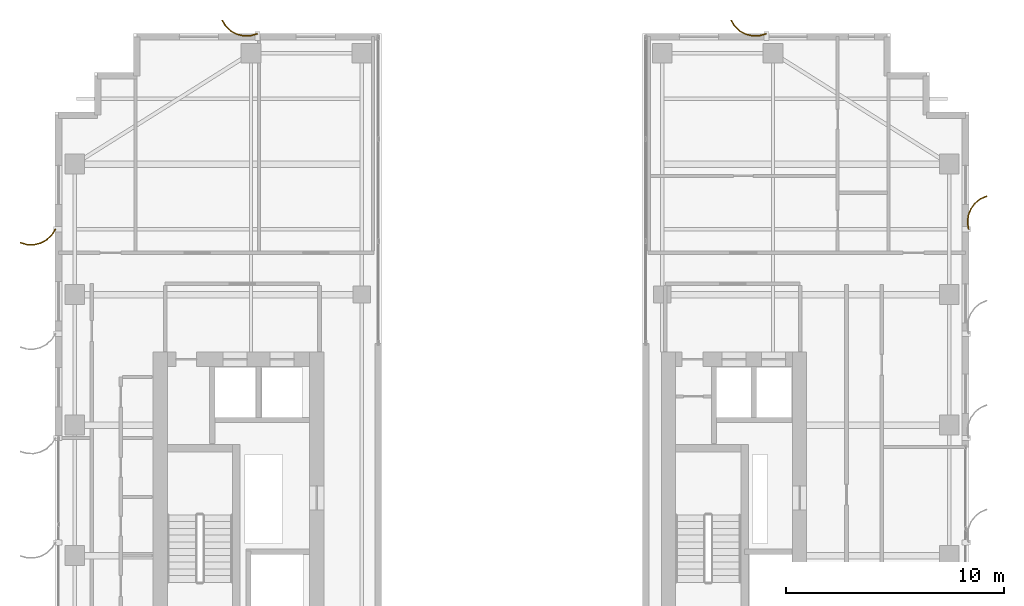
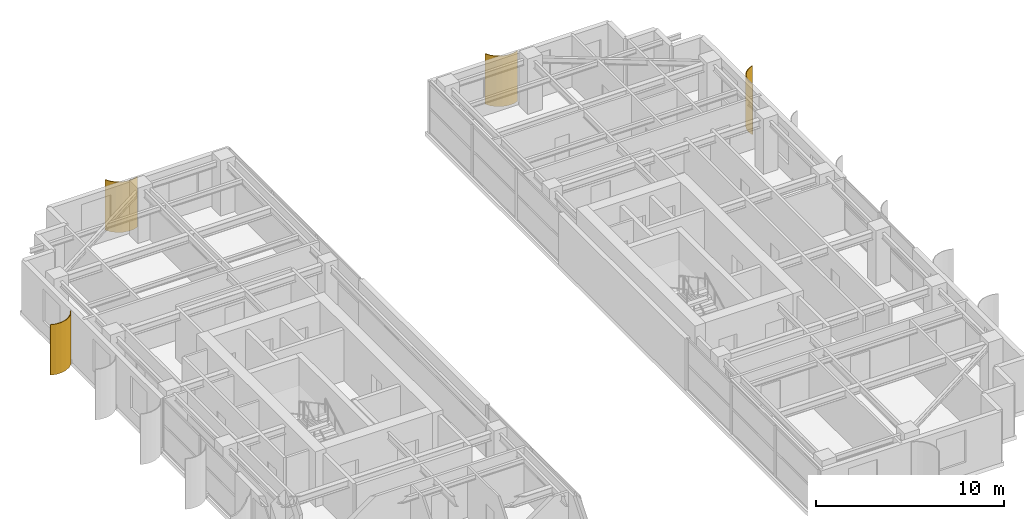
# One storey, part 22 of 22: 4 shading devices.
"""IFC4 building model written with IfcOpenShell, lengths in metres."""

from ifc_helpers import new_model, si_unit, direction, frame, origin, place, context, subcontext, project, spatial, polyline, outline, extrude, source, transform, mapped, material, layer, layer_set, type_object, element, save


model = new_model("IFC4")

# Units and contexts
model_context = context("Model", 3, precision=1e-05, world=origin(), true_north=direction((0.0, 1.0)))
body_context = subcontext(model_context, "Body", "Model", "MODEL_VIEW")
ifc_project = project(units=[si_unit("LENGTHUNIT", "METRE"), si_unit("AREAUNIT", "SQUARE_METRE"), si_unit("VOLUMEUNIT", "CUBIC_METRE"), si_unit("PLANEANGLEUNIT", "RADIAN"), si_unit("MASSUNIT", "GRAM", prefix="KILO")], contexts=[model_context])

# Site, building, storey
site_placement = place(None, origin())
site = spatial("IfcSite", under=ifc_project, at=site_placement, CompositionType="ELEMENT")
building_placement = place(site_placement, origin())
building = spatial("IfcBuilding", under=site, at=building_placement, Name="Khoralis Quay Care Tower", CompositionType="ELEMENT")
storey_placement = place(building_placement, frame((0.0, 0.0, 209.699951171875)))
storey = spatial("IfcBuildingStorey", under=building, at=storey_placement, Name="L55", CompositionType="ELEMENT", Elevation=209.699951171875)

# Shading devices
ifc_material = material(Name="Brushed pale anodised aluminium", Category="aluminium")
ifc_layer = layer(ifc_material, 0.044921875)
ifc_layer_set = layer_set([ifc_layer], Name="Brushed pale anodised aluminium")
shading_device_type = type_object("IfcShadingDeviceType", Name="SHD-FIN-1250", PredefinedType="USERDEFINED", material=ifc_layer_set)
shared_shape_1 = source(origin(), body_context, "Body", "SweptSolid", [
    extrude(outline(polyline([(0.0, 0.0), (0.17041015625, 0.2783203125), (0.4072265625, 0.5029296875), (0.694091796875, 0.658447265625), (1.01123046875, 0.734619140625), (1.33740234375, 0.72607421875), (1.650390625, 0.633544921875), (1.632080078125, 0.59228515625), (1.330322265625, 0.681640625), (1.015869140625, 0.68994140625), (0.710205078125, 0.616455078125), (0.43359375, 0.466552734375), (0.20556640625, 0.25), (0.041015625, -0.018310546875), (0.0, 0.0)])), origin(), (0.0, 0.0, 1.0), 3.280029296875),
])
shading_device_1_placement = place(storey_placement, frame((3.030029296875, 33.0, 0.02001953125), z_axis=(0.0, 0.0, 1.0), x_axis=(-1.0, 0.0, 0.0)))
element("IfcShadingDevice", 1, at=shading_device_1_placement, inside=storey, type_object=shading_device_type, Name="L55 Curved Solar Fin P1E7-01", ObjectType="FIN", PredefinedType="USERDEFINED", context=body_context, shape_type="MappedRepresentation", body=[
    mapped(shared_shape_1, transform((0.0, 0.0, 0.0), scale=1.0)),
])
shared_shape_2 = source(origin(), body_context, "Body", "SweptSolid", [
    extrude(outline(polyline([(0.0, 0.0), (-0.04833984375, 0.32275390625), (-0.01123046875, 0.64697265625), (0.1083984375, 0.950439453125), (0.302490234375, 1.212890625), (0.557861328125, 1.416015625), (0.85693359375, 1.546142578125), (0.869384765625, 1.5029296875), (0.5810546875, 1.37744140625), (0.334716796875, 1.181640625), (0.147705078125, 0.9287109375), (0.032470703125, 0.635986328125), (-0.003173828125, 0.323486328125), (0.043212890625, 0.012451171875), (0.0, 0.0)])), origin(), (0.0, 0.0, 1.0), 3.280029296875),
])
shading_device_2_placement = place(storey_placement, frame((44.969970703125, 33.0, 0.02001953125), z_axis=(0.0, 0.0, 1.0), x_axis=(1.0, 0.0, 0.0)))
element("IfcShadingDevice", 2, at=shading_device_2_placement, inside=storey, type_object=shading_device_type, Name="L55 Curved Solar Fin P2E5-06", ObjectType="FIN", PredefinedType="USERDEFINED", context=body_context, shape_type="MappedRepresentation", body=[
    mapped(shared_shape_2, transform((0.0, 0.0, 0.0), scale=1.0)),
])
shared_shape_3 = source(origin(), body_context, "Body", "SweptSolid", [
    extrude(outline(polyline([(0.0, 0.0), (-0.0927734375, 0.31298828125), (-0.101318359375, 0.63916015625), (-0.025146484375, 0.956298828125), (0.130615234375, 1.2431640625), (0.355224609375, 1.479736328125), (0.633544921875, 1.650390625), (0.65185546875, 1.609130859375), (0.383544921875, 1.44482421875), (0.1669921875, 1.216796875), (0.01708984375, 0.940185546875), (-0.056396484375, 0.63427734375), (-0.04833984375, 0.31982421875), (0.041015625, 0.018310546875), (0.0, 0.0)])), origin(), (0.0, 0.0, 1.0), 3.280029296875),
])
for number, where, z_axis, x_axis, name in (
    (3, (12.300048828125, 41.969970703125, 0.02001953125), (0.0, 0.0, 1.0), (0.0, 1.0, 0.0), "L55 Curved Solar Fin P1E2-01"),
    (4, (35.699951171875, 41.969970703125, 0.02001953125), (0.0, 0.0, 1.0), (0.0, 1.0, 0.0), "L55 Curved Solar Fin P2E10-01"),
):
    element("IfcShadingDevice", number, at=place(storey_placement, frame(where, z_axis=z_axis, x_axis=x_axis)), inside=storey, type_object=shading_device_type, Name=name, ObjectType="FIN", PredefinedType="USERDEFINED", context=body_context, shape_type="MappedRepresentation", body=[
        mapped(shared_shape_3, transform((0.0, 0.0, 0.0), scale=1.0)),
    ])

save(model, "model.ifc")
